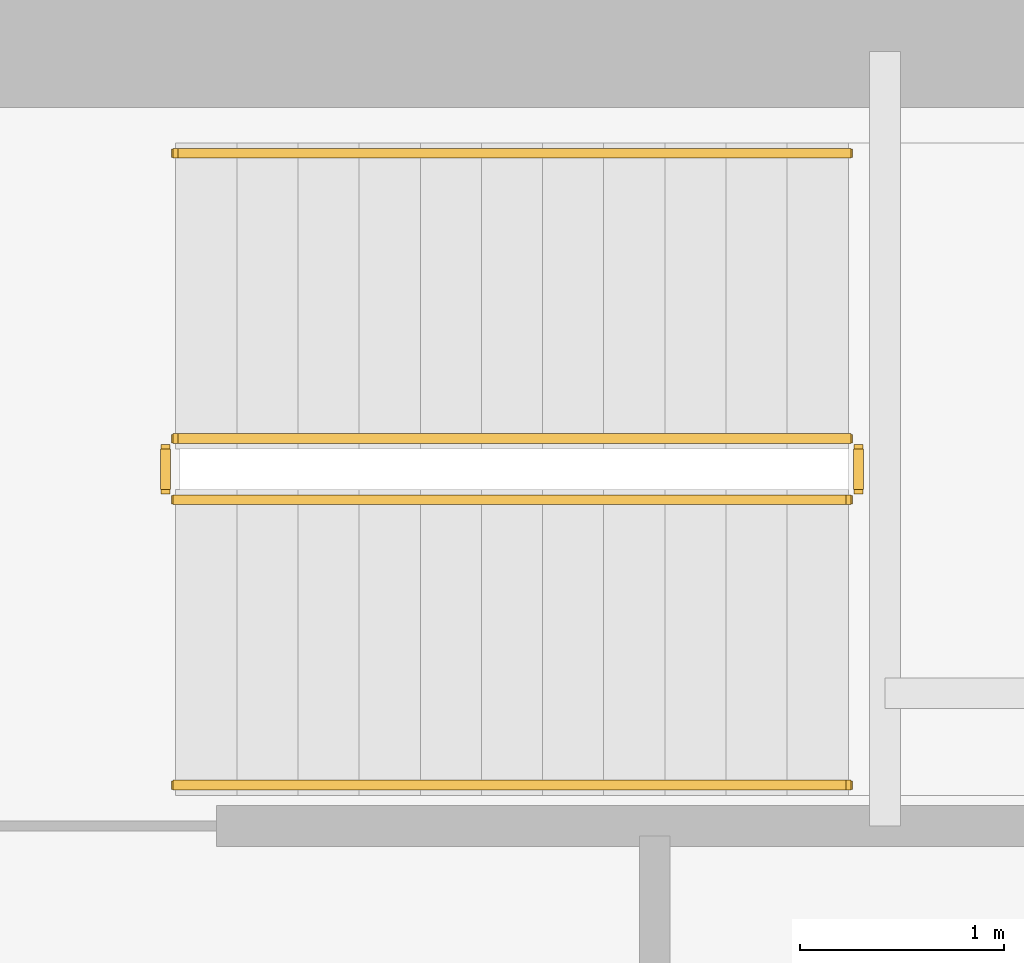
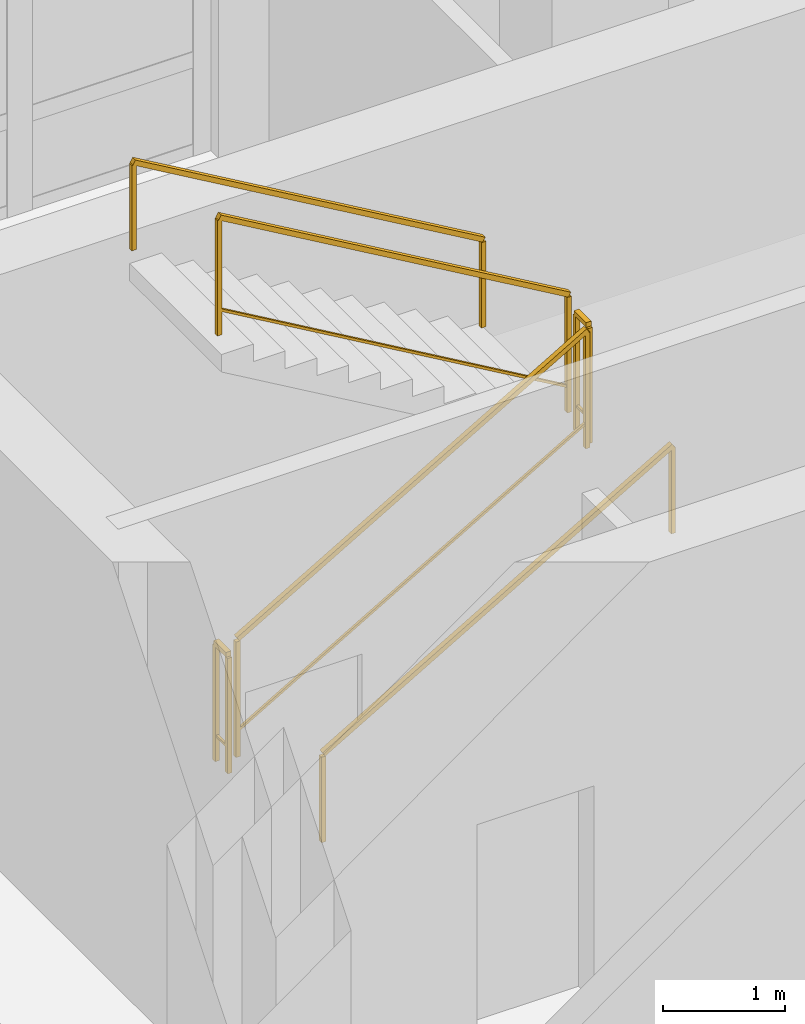
# One storey, part 15 of 15: 6 railings.
"""IFC4 building model written with IfcOpenShell, lengths in metres."""

import ifcopenshell
import ifcopenshell.guid

model = None  # the IFC model being written
_history = None  # IfcOwnerHistory: only IFC2X3 demands one
_inside = {}  # id of a spatial element -> (the spatial element, [elements in it])
_under = {}  # id of a project, library or spatial element -> (it, [spatial elements below it])
_declared = {}  # id of a project -> (the project, [libraries it declares])
_typed = {}  # id of a type object -> (the type object, [elements of that type])
_made_of = {}  # id of a material, layer set ... -> (it, [elements and type objects made of it])


def new_model(schema):
    """Start an empty IFC model of exactly this schema.

    Asked for "IFC4X3", IfcOpenShell would pick the latest addendum, in which some entities
    have other attributes; the version numbers below select the first issue.
    IFC2X3 requires an IfcOwnerHistory on every rooted entity: one is made here for all.
    """
    global model, _history
    if schema == "IFC4X3":
        model = ifcopenshell.file(schema_version=(4, 3, 0, 0))
    else:
        model = ifcopenshell.file(schema=schema)
    _inside.clear()
    _under.clear()
    _declared.clear()
    _typed.clear()
    _made_of.clear()
    _history = None
    if model.schema == "IFC2X3":
        org = make("IfcOrganization", Name="unknown")
        user = make(
            "IfcPersonAndOrganization",
            ThePerson=make("IfcPerson", FamilyName="unknown"),
            TheOrganization=org,
        )
        app = make(
            "IfcApplication",
            ApplicationDeveloper=org,
            Version="unknown",
            ApplicationFullName="unknown",
            ApplicationIdentifier="unknown",
        )
        _history = make(
            "IfcOwnerHistory",
            OwningUser=user,
            OwningApplication=app,
            ChangeAction="ADDED",
            CreationDate=0,
        )
    return model


def make(cls, **values):
    """One entity of the class cls with the attributes given. An attribute that is None is left unset."""
    return model.create_entity(
        cls, **{name: value for name, value in values.items() if value is not None}
    )


def rooted(cls, **values):
    """An entity with a GlobalId (a new one), such as an element, a storey or a relation."""
    return make(cls, GlobalId=ifcopenshell.guid.new(), OwnerHistory=_history, **values)


def si_unit(unit_type, name, prefix=None):
    """IfcSIUnit, for example si_unit("LENGTHUNIT", "METRE", prefix="MILLI")."""
    return make("IfcSIUnit", UnitType=unit_type, Prefix=prefix, Name=name)


def assignment(units):
    """IfcUnitAssignment: the units of a project."""
    return None if units is None else make("IfcUnitAssignment", Units=units)


def point(xyz):
    """IfcCartesianPoint."""
    return None if xyz is None else make("IfcCartesianPoint", Coordinates=xyz)


def direction(xyz):
    """IfcDirection."""
    return None if xyz is None else make("IfcDirection", DirectionRatios=xyz)


def frame(location, z_axis=None, x_axis=None):
    """IfcAxis2Placement3D, a coordinate frame: its origin and axes. An axis left out is left unset."""
    return make(
        "IfcAxis2Placement3D",
        Location=point(location),
        Axis=direction(z_axis),
        RefDirection=direction(x_axis),
    )


def frame_2d(location, x_axis=None):
    """IfcAxis2Placement2D, a coordinate frame in the plane: its origin and x axis."""
    return make(
        "IfcAxis2Placement2D", Location=point(location), RefDirection=direction(x_axis)
    )


def origin():
    """The frame at (0, 0, 0) with its axes left unset."""
    return frame((0.0, 0.0, 0.0))


def origin_2d():
    """The frame at (0, 0) in the plane with its x axis left unset."""
    return frame_2d((0.0, 0.0))


def place(relative_to, where):
    """IfcLocalPlacement: puts the frame where relative to a parent placement (None: the world)."""
    return make(
        "IfcLocalPlacement", PlacementRelTo=relative_to, RelativePlacement=where
    )


def context(
    kind, dimensions, precision=None, world=None, true_north=None, identifier=None
):
    """IfcGeometricRepresentationContext, for example the 3D "Model" context."""
    return make(
        "IfcGeometricRepresentationContext",
        ContextIdentifier=identifier,
        ContextType=kind,
        CoordinateSpaceDimension=dimensions,
        Precision=precision,
        WorldCoordinateSystem=world,
        TrueNorth=true_north,
    )


def subcontext(parent, identifier, kind, view, scale=None):
    """IfcGeometricRepresentationSubContext, for example "Body" below "Model"."""
    return make(
        "IfcGeometricRepresentationSubContext",
        ContextIdentifier=identifier,
        ContextType=kind,
        ParentContext=parent,
        TargetScale=scale,
        TargetView=view,
    )


def project(units=None, contexts=None):
    """IfcProject with its units and contexts."""
    return rooted(
        "IfcProject",
        Name="project",
        RepresentationContexts=contexts,
        UnitsInContext=assignment(units),
    )


def spatial(cls, under=None, at=None, **own):
    """A site, building, storey or space (cls), placed at a placement, below another one or the project."""
    s = rooted(cls, ObjectPlacement=at, **own)
    if under is not None:
        _under.setdefault(under.id(), (under, []))[1].append(s)
    return s


def profile(cls, at=None, kind="AREA", **sizes):
    """A parametric profile (cls). Its sizes go by their IFC names, for example OverallWidth=200.0."""
    return make(cls, ProfileType=kind, Position=at, **sizes)


def rectangle(**sizes):
    """IfcRectangleProfileDef."""
    return profile("IfcRectangleProfileDef", **sizes)


def extrude(swept, where, along, depth):
    """IfcExtrudedAreaSolid: the profile swept, set in the frame where, extruded along a direction by depth."""
    return make(
        "IfcExtrudedAreaSolid",
        SweptArea=swept,
        Position=where,
        ExtrudedDirection=direction(along),
        Depth=depth,
    )


def shape(context_of_items, identifier, shape_type, items):
    """IfcShapeRepresentation: the items that make up one representation, for example the "Body"."""
    return make(
        "IfcShapeRepresentation",
        ContextOfItems=context_of_items,
        RepresentationIdentifier=identifier,
        RepresentationType=shape_type,
        Items=items,
    )


def material(Name=None, Category=None):
    """IfcMaterial."""
    return make("IfcMaterial", Name=Name, Category=Category)


def made_of(thing, what):
    """Note that an element or type object is made of a material, layer set ...; save() writes the relation."""
    if what is not None:
        _made_of.setdefault(what.id(), (what, []))[1].append(thing)
    return thing


def type_object(cls, material=None, **own):
    """A type object (cls), such as IfcWallType, which elements share."""
    return made_of(rooted(cls, **own), material)


def element(
    cls,
    number,
    at=None,
    inside=None,
    cuts=None,
    type_object=None,
    material=None,
    context=None,
    identifier="Body",
    shape_type=None,
    held_by="IfcProductDefinitionShape",
    body=None,
    shapes=None,
    **own,
):
    """One element of the class cls, such as IfcWall. Its Tag is "e" and its number.

    at: its placement. inside: the storey or other place that contains it. cuts: it is an
    opening in that element (IfcRelVoidsElement). A single representation is given by context,
    identifier, shape_type and body (its items); several are given by shapes. held_by: the class
    of the entity that holds the representations. save() writes the other relations.
    """
    e = rooted(cls, Tag="e%d" % number, ObjectPlacement=at, **own)
    if body is not None:
        shapes = [shape(context, identifier, shape_type, body)]
    if shapes is not None:
        e.Representation = make(held_by, Representations=shapes)
    if inside is not None:
        _inside.setdefault(inside.id(), (inside, []))[1].append(e)
    if cuts is not None:
        rooted(
            "IfcRelVoidsElement", RelatingBuildingElement=cuts, RelatedOpeningElement=e
        )
    if type_object is not None:
        _typed.setdefault(type_object.id(), (type_object, []))[1].append(e)
    return made_of(e, material)


def aggregate(whole, parts):
    """IfcRelAggregates: a whole, such as a stair, and the parts it consists of."""
    return rooted("IfcRelAggregates", RelatingObject=whole, RelatedObjects=parts)


def save(model, path):
    """Write the relations noted so far, then the file.

    IfcRelAggregates (storeys below a building ...), IfcRelContainedInSpatialStructure (elements
    in a storey), IfcRelDefinesByType, IfcRelAssociatesMaterial and IfcRelDeclares: one each for
    every whole, place, type object, material and project.
    """
    for whole, parts in _under.values():
        aggregate(whole, parts)
    for where, things in _inside.values():
        rooted(
            "IfcRelContainedInSpatialStructure",
            RelatedElements=things,
            RelatingStructure=where,
        )
    for kind, things in _typed.values():
        rooted("IfcRelDefinesByType", RelatedObjects=things, RelatingType=kind)
    for what, things in _made_of.values():
        rooted("IfcRelAssociatesMaterial", RelatedObjects=things, RelatingMaterial=what)
    for by, libraries in _declared.values():
        rooted("IfcRelDeclares", RelatingContext=by, RelatedDefinitions=libraries)
    model.write(path)


model = new_model("IFC4")

# Units and contexts
model_context = context("Model", 3, precision=1e-05, world=origin(), true_north=direction((0.0, 1.0)))
body_context = subcontext(model_context, "Body", "Model", "MODEL_VIEW")
ifc_project = project(units=[si_unit("LENGTHUNIT", "METRE"), si_unit("AREAUNIT", "SQUARE_METRE"), si_unit("VOLUMEUNIT", "CUBIC_METRE"), si_unit("PLANEANGLEUNIT", "RADIAN"), si_unit("MASSUNIT", "GRAM", prefix="KILO")], contexts=[model_context])

# Site, building, storey
site_placement = place(None, origin())
site = spatial("IfcSite", under=ifc_project, at=site_placement, CompositionType="ELEMENT")
building_placement = place(site_placement, origin())
building = spatial("IfcBuilding", under=site, at=building_placement, Name="Svetorya Sky Lyceum", CompositionType="ELEMENT")
storey_placement = place(building_placement, frame((0.0, 0.0, 84.10009765625)))
storey = spatial("IfcBuildingStorey", under=building, at=storey_placement, Name="L20", CompositionType="ELEMENT", Elevation=84.10009765625)

# Railings
ifc_material_1 = material(Name="Painted galvanized stair well guard")
railing_type_1 = type_object("IfcRailingType", Name="RL-STR-GUARD-1200", PredefinedType="GUARDRAIL", material=ifc_material_1)
railing_1_placement = place(storey_placement, frame((27.699951171875, 43.60009765625, 0.1748046875)))
element("IfcRailing", 1, at=railing_1_placement, inside=storey, type_object=railing_type_1, Name="L20 ST-N stair guard 1", PredefinedType="GUARDRAIL", context=body_context, shape_type="SweptSolid", body=[
    extrude(rectangle(XDim=0.048095703125, YDim=0.048095703125, at=origin_2d()), frame((0.0, 0.0, 1.17578125), z_axis=(0.863776583165, 0.0, 0.503874998761), x_axis=(0.0, 1.0, 0.0)), (0.0, 0.0, 1.0), 3.820556640625),
    extrude(rectangle(XDim=0.02392578125, YDim=0.02392578125, at=origin_2d()), frame((0.0, 0.0, 0.25), z_axis=(0.863776583165, 0.0, 0.503874998761), x_axis=(0.0, 1.0, 0.0)), (0.0, 0.0, 1.0), 3.820556640625),
    extrude(rectangle(XDim=0.0419921875, YDim=0.0419921875, at=origin_2d()), origin(), (0.0, 0.0, 1.0), 1.15185546875),
    extrude(rectangle(XDim=0.0419921875, YDim=0.0419921875, at=origin_2d()), frame((3.300048828125, 0.0, 1.925048828125)), (0.0, 0.0, 1.0), 1.15185546875),
])
railing_2_placement = place(storey_placement, frame((31.050048828125, 43.64990234375, 2.099853515625)))
element("IfcRailing", 2, at=railing_2_placement, inside=storey, type_object=railing_type_1, Name="L20 ST-N stair guard 2", PredefinedType="GUARDRAIL", context=body_context, shape_type="SweptSolid", body=[
    extrude(rectangle(XDim=0.048095703125, YDim=0.048095703125, at=origin_2d()), frame((0.0, 0.0, 1.17578125), z_axis=(0.0, 1.0, 0.0), x_axis=(-1.0, 0.0, 0.0)), (0.0, 0.0, 1.0), 0.2001953125),
    extrude(rectangle(XDim=0.02392578125, YDim=0.02392578125, at=origin_2d()), frame((0.0, 0.0, 0.25), z_axis=(0.0, 1.0, 0.0), x_axis=(-1.0, 0.0, 0.0)), (0.0, 0.0, 1.0), 0.2001953125),
    extrude(rectangle(XDim=0.0419921875, YDim=0.0419921875, at=origin_2d()), origin(), (0.0, 0.0, 1.0), 1.15185546875),
    extrude(rectangle(XDim=0.0419921875, YDim=0.0419921875, at=origin_2d()), frame((0.0, 0.2001953125, 0.0)), (0.0, 0.0, 1.0), 1.15185546875),
])
railing_3_placement = place(storey_placement, frame((31.0, 43.89990234375, 2.27490234375)))
element("IfcRailing", 3, at=railing_3_placement, inside=storey, type_object=railing_type_1, Name="L20 ST-N stair guard 3", PredefinedType="GUARDRAIL", context=body_context, shape_type="SweptSolid", body=[
    extrude(rectangle(XDim=0.048095703125, YDim=0.048095703125, at=origin_2d()), frame((0.0, 0.0, 1.17578125), z_axis=(-0.863776583165, 0.0, 0.503874998761), x_axis=(0.0, -1.0, 0.0)), (0.0, 0.0, 1.0), 3.820556640625),
    extrude(rectangle(XDim=0.02392578125, YDim=0.02392578125, at=origin_2d()), frame((0.0, 0.0, 0.25), z_axis=(-0.863776583165, 0.0, 0.503874998761), x_axis=(0.0, -1.0, 0.0)), (0.0, 0.0, 1.0), 3.820556640625),
    extrude(rectangle(XDim=0.0419921875, YDim=0.0419921875, at=origin_2d()), origin(), (0.0, 0.0, 1.0), 1.15185546875),
    extrude(rectangle(XDim=0.0419921875, YDim=0.0419921875, at=origin_2d()), frame((-3.300048828125, 0.0, 1.925048828125)), (0.0, 0.0, 1.0), 1.15185546875),
])
railing_4_placement = place(storey_placement, frame((27.64990234375, 43.64990234375, 0.0)))
element("IfcRailing", 4, at=railing_4_placement, inside=storey, type_object=railing_type_1, Name="L20 ST-N stair guard 4", PredefinedType="GUARDRAIL", context=body_context, shape_type="SweptSolid", body=[
    extrude(rectangle(XDim=0.048095703125, YDim=0.048095703125, at=origin_2d()), frame((0.0, 0.0, 1.17578125), z_axis=(0.0, 1.0, 0.0), x_axis=(-1.0, 0.0, 0.0)), (0.0, 0.0, 1.0), 0.2001953125),
    extrude(rectangle(XDim=0.02392578125, YDim=0.02392578125, at=origin_2d()), frame((0.0, 0.0, 0.25), z_axis=(0.0, 1.0, 0.0), x_axis=(-1.0, 0.0, 0.0)), (0.0, 0.0, 1.0), 0.2001953125),
    extrude(rectangle(XDim=0.0419921875, YDim=0.0419921875, at=origin_2d()), origin(), (0.0, 0.0, 1.0), 1.15185546875),
    extrude(rectangle(XDim=0.0419921875, YDim=0.0419921875, at=origin_2d()), frame((0.0, 0.2001953125, 0.0)), (0.0, 0.0, 1.0), 1.15185546875),
])
ifc_material_2 = material(Name="Brushed stainless AISI 304 stair handrail")
railing_type_2 = type_object("IfcRailingType", Name="RL-STR-HAND-920", PredefinedType="HANDRAIL", material=ifc_material_2)
railing_5_placement = place(storey_placement, frame((27.699951171875, 42.199951171875, 0.1748046875)))
element("IfcRailing", 5, at=railing_5_placement, inside=storey, type_object=railing_type_2, Name="L20 ST-N stair handrail 1", PredefinedType="HANDRAIL", context=body_context, shape_type="SweptSolid", body=[
    extrude(rectangle(XDim=0.048095703125, YDim=0.048095703125, at=origin_2d()), frame((0.0, 0.0, 0.8759765625), z_axis=(0.863776583165, 0.0, 0.503874998761), x_axis=(0.0, 1.0, 0.0)), (0.0, 0.0, 1.0), 3.820556640625),
    extrude(rectangle(XDim=0.0419921875, YDim=0.0419921875, at=origin_2d()), origin(), (0.0, 0.0, 1.0), 0.851806640625),
    extrude(rectangle(XDim=0.0419921875, YDim=0.0419921875, at=origin_2d()), frame((3.300048828125, 0.0, 1.925048828125)), (0.0, 0.0, 1.0), 0.851806640625),
])
railing_6_placement = place(storey_placement, frame((31.0, 45.300048828125, 2.27490234375)))
element("IfcRailing", 6, at=railing_6_placement, inside=storey, type_object=railing_type_2, Name="L20 ST-N stair handrail 2", PredefinedType="HANDRAIL", context=body_context, shape_type="SweptSolid", body=[
    extrude(rectangle(XDim=0.048095703125, YDim=0.048095703125, at=origin_2d()), frame((0.0, 0.0, 0.8759765625), z_axis=(-0.863776583165, 0.0, 0.503874998761), x_axis=(0.0, -1.0, 0.0)), (0.0, 0.0, 1.0), 3.820556640625),
    extrude(rectangle(XDim=0.0419921875, YDim=0.0419921875, at=origin_2d()), origin(), (0.0, 0.0, 1.0), 0.851806640625),
    extrude(rectangle(XDim=0.0419921875, YDim=0.0419921875, at=origin_2d()), frame((-3.300048828125, 0.0, 1.925048828125)), (0.0, 0.0, 1.0), 0.851806640625),
])

save(model, "model.ifc")
